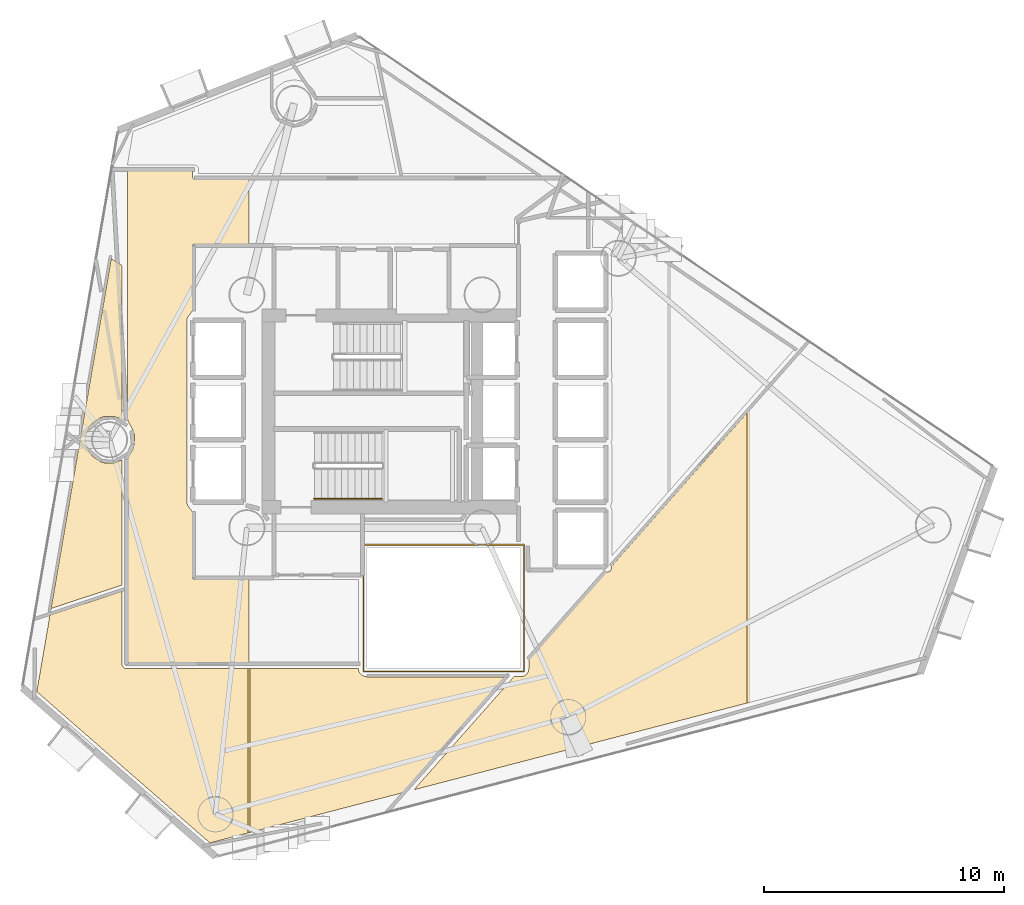
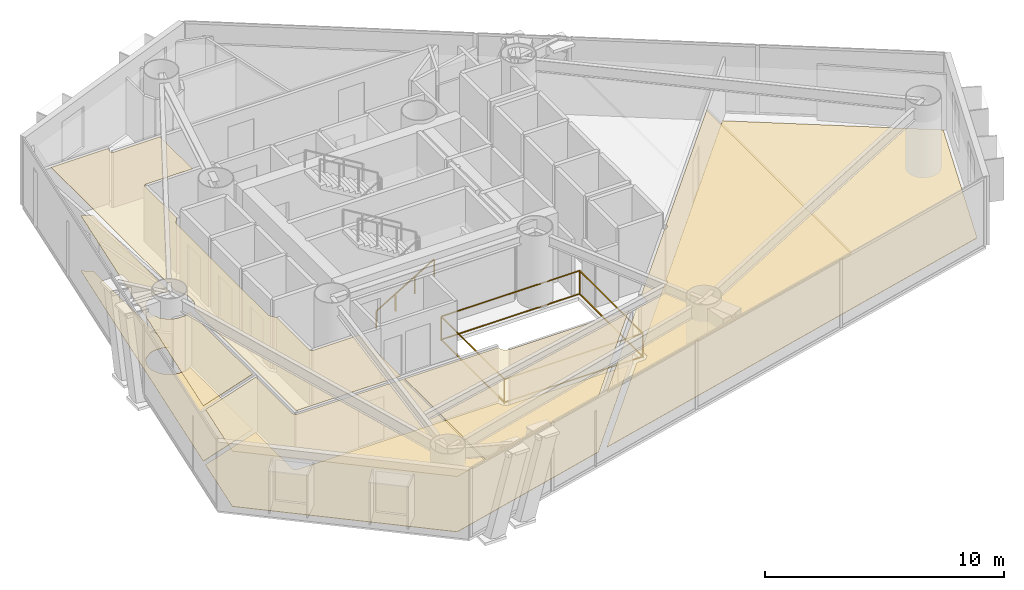
# One storey, part 19 of 21: 8 coverings, 2 railings.
"""IFC4 building model written with IfcOpenShell, lengths in metres."""

from ifc_helpers import new_model, si_unit, direction, frame, origin, origin_2d, place, context, subcontext, project, spatial, polyline, rectangle, outline, extrude, material, layer, layer_set, type_object, element, save


model = new_model("IFC4")

# Units and contexts
model_context = context("Model", 3, precision=1e-05, world=origin(), true_north=direction((0.0, 1.0)))
body_context = subcontext(model_context, "Body", "Model", "MODEL_VIEW")
ifc_project = project(units=[si_unit("LENGTHUNIT", "METRE"), si_unit("AREAUNIT", "SQUARE_METRE"), si_unit("VOLUMEUNIT", "CUBIC_METRE"), si_unit("PLANEANGLEUNIT", "RADIAN"), si_unit("MASSUNIT", "GRAM", prefix="KILO")], contexts=[model_context])

# Site, building, storey
site_placement = place(None, origin())
site = spatial("IfcSite", under=ifc_project, at=site_placement, CompositionType="ELEMENT")
building_placement = place(site_placement, origin())
building = spatial("IfcBuilding", under=site, at=building_placement, Name="Qianvela Tower", CompositionType="ELEMENT")
storey_placement = place(building_placement, frame((0.0, 0.0, 112.60009765625)))
storey = spatial("IfcBuildingStorey", under=building, at=storey_placement, Name="L28", CompositionType="ELEMENT", Elevation=112.60009765625)

# Coverings
ifc_material_1 = material(Name="Perforated Mineral Acoustic Ceiling Tile")
ifc_layer_1 = layer(ifc_material_1, 0.02490234375)
ifc_layer_set_1 = layer_set([ifc_layer_1], Name="Perforated Mineral Acoustic Ceiling Tile")
covering_type_1 = type_object("IfcCoveringType", Name="COV-CEIL-ACOUSTIC-25", PredefinedType="CEILING", material=ifc_layer_set_1)
covering_1_placement = place(storey_placement, frame((0.0, 0.0, 2.81494140625)))
element("IfcCovering", 1, at=covering_1_placement, inside=storey, type_object=covering_type_1, Name="L28 Acoustic Ceiling Bay 1 L28 Floor Corridor", PredefinedType="CEILING", context=body_context, shape_type="SweptSolid", body=[
    extrude(outline(polyline([(23.84814453125, 27.917724609375), (23.8447265625, 27.9248046875), (23.6298828125, 28.32666015625), (23.6298828125, 38.719970703125), (26.340087890625, 38.719970703125), (26.340087890625, 38.449951171875), (26.34033203125, 38.442138671875), (26.341552734375, 38.434326171875), (26.343505859375, 38.4267578125), (26.34619140625, 38.41943359375), (26.349365234375, 38.412353515625), (26.353515625, 38.405517578125), (26.358154296875, 38.399169921875), (26.36328125, 38.393310546875), (26.369140625, 38.38818359375), (26.37548828125, 38.383544921875), (26.38232421875, 38.37939453125), (26.389404296875, 38.376220703125), (26.396728515625, 38.373291015625), (26.404296875, 38.37158203125), (26.412109375, 38.370361328125), (26.419921875, 38.3701171875), (28.68505859375, 38.3701171875), (28.68505859375, 35.659912109375), (26.419921875, 35.659912109375), (26.412109375, 35.65966796875), (26.404296875, 35.658447265625), (26.396728515625, 35.656494140625), (26.389404296875, 35.65380859375), (26.38232421875, 35.650634765625), (26.37548828125, 35.646484375), (26.369140625, 35.641845703125), (26.36328125, 35.63671875), (26.358154296875, 35.630859375), (26.353515625, 35.62451171875), (26.349365234375, 35.61767578125), (26.34619140625, 35.610595703125), (26.343505859375, 35.603271484375), (26.341552734375, 35.595703125), (26.34033203125, 35.587890625), (26.340087890625, 35.580078125), (26.340087890625, 32.89599609375), (26.139404296875, 32.62548828125), (26.135498046875, 32.61962890625), (26.132080078125, 32.61376953125), (26.12939453125, 32.607421875), (26.126953125, 32.60107421875), (26.103515625, 32.523193359375), (26.1015625, 32.515625), (26.100341796875, 32.5078125), (26.10009765625, 32.5), (26.10009765625, 24.89990234375), (26.100341796875, 24.89208984375), (26.1015625, 24.884521484375), (26.103515625, 24.876708984375), (26.126953125, 24.799072265625), (26.12939453125, 24.79248046875), (26.132080078125, 24.786376953125), (26.135498046875, 24.7802734375), (26.139404296875, 24.774658203125), (26.340087890625, 24.50390625), (26.340087890625, 21.780029296875), (26.34033203125, 21.772216796875), (26.341552734375, 21.764404296875), (26.343505859375, 21.7568359375), (26.34619140625, 21.74951171875), (26.349365234375, 21.7421875), (26.353515625, 21.735595703125), (26.358154296875, 21.729248046875), (26.36328125, 21.723388671875), (26.369140625, 21.71826171875), (26.37548828125, 21.71337890625), (26.38232421875, 21.70947265625), (26.389404296875, 21.7060546875), (26.396728515625, 21.703369140625), (26.404296875, 21.701416015625), (26.412109375, 21.700439453125), (26.419921875, 21.699951171875), (28.68505859375, 21.699951171875), (28.68505859375, 18.22998046875), (23.6298828125, 18.22998046875), (23.6298828125, 26.705322265625), (23.8447265625, 27.107177734375), (23.84814453125, 27.1142578125), (23.8505859375, 27.12158203125), (23.906005859375, 27.303466796875), (23.90771484375, 27.311279296875), (23.908935546875, 27.31884765625), (23.909423828125, 27.326904296875), (23.909423828125, 27.705078125), (23.908935546875, 27.713134765625), (23.90771484375, 27.720703125), (23.906005859375, 27.728515625), (23.8505859375, 27.910400390625), (23.84814453125, 27.917724609375)])), origin(), (0.0, 0.0, 1.0), 0.02490234375),
])
covering_2_placement = place(storey_placement, frame((0.0, 0.0, 2.81494140625)))
element("IfcCovering", 2, at=covering_2_placement, inside=storey, type_object=covering_type_1, Name="L28 Acoustic Ceiling Bay 1 Collaborative Co-working Office L28-01A", PredefinedType="CEILING", context=body_context, shape_type="SweptSolid", body=[
    extrude(outline(polyline([(23.390380859375, 18.14208984375), (23.3916015625, 18.134521484375), (23.393310546875, 18.126708984375), (23.39599609375, 18.119384765625), (23.3994140625, 18.1123046875), (23.403564453125, 18.105712890625), (23.408203125, 18.09912109375), (23.47265625, 18.020751953125), (23.477783203125, 18.014892578125), (23.483642578125, 18.009765625), (23.489990234375, 18.0048828125), (23.49658203125, 18.0009765625), (23.50390625, 17.99755859375), (23.51123046875, 17.9951171875), (23.518798828125, 17.9931640625), (23.526611328125, 17.991943359375), (23.534423828125, 17.991455078125), (28.640380859375, 17.99072265625), (28.640380859375, 11.129638671875), (27.059326171875, 10.718017578125), (19.8466796875, 17.020263671875), (20.395263671875, 20.20849609375), (23.389892578125, 21.199951171875), (23.389892578125, 18.14990234375), (23.390380859375, 18.14208984375)])), origin(), (0.0, 0.0, 1.0), 0.02490234375),
])
covering_3_placement = place(storey_placement, frame((0.0, 0.0, 2.81494140625)))
element("IfcCovering", 3, at=covering_3_placement, inside=storey, type_object=covering_type_1, Name="L28 Acoustic Ceiling Bay 2 Collaborative Co-working Office L28-01A", PredefinedType="CEILING", context=body_context, shape_type="SweptSolid", body=[
    extrude(outline(polyline([(33.24609375, 17.989990234375), (33.252197265625, 17.912353515625), (33.25341796875, 17.904296875), (33.25537109375, 17.896240234375), (33.258056640625, 17.888427734375), (33.261474609375, 17.881103515625), (33.31298828125, 17.78466796875), (33.31689453125, 17.77783203125), (33.32177734375, 17.771484375), (33.326904296875, 17.765869140625), (33.332763671875, 17.760498046875), (33.417236328125, 17.691162109375), (33.42431640625, 17.68603515625), (33.431884765625, 17.681640625), (33.440185546875, 17.677978515625), (33.448486328125, 17.675537109375), (33.58056640625, 17.642333984375), (33.5869140625, 17.64111328125), (33.593505859375, 17.640380859375), (33.60009765625, 17.639892578125), (39.34765625, 17.639892578125), (35.07470703125, 12.804931640625), (28.72021484375, 11.150390625), (28.72021484375, 17.99072265625), (33.24609375, 17.989990234375)])), origin(), (0.0, 0.0, 1.0), 0.02490234375),
])
covering_4_placement = place(storey_placement, frame((0.0, 0.0, 2.81494140625)))
element("IfcCovering", 4, at=covering_4_placement, inside=storey, type_object=covering_type_1, Name="L28 Acoustic Ceiling Bay 1 Quiet Desk Workspace L28-01B", PredefinedType="CEILING", context=body_context, shape_type="SweptSolid", body=[
    extrude(outline(polyline([(40.119873046875, 17.662353515625), (40.128173828125, 17.6640625), (40.136474609375, 17.666748046875), (40.144287109375, 17.67041015625), (40.151611328125, 17.6748046875), (40.242431640625, 17.735595703125), (40.248779296875, 17.740234375), (40.254638671875, 17.745361328125), (40.259765625, 17.751220703125), (40.264404296875, 17.757568359375), (40.3251953125, 17.848388671875), (40.3291015625, 17.8544921875), (40.332275390625, 17.861083984375), (40.334716796875, 17.867919921875), (40.336669921875, 17.875), (40.337890625, 17.882080078125), (40.338623046875, 17.889404296875), (40.358642578125, 18.361083984375), (43.565185546875, 21.9892578125), (43.69873046875, 22.0234375), (43.706298828125, 22.02587890625), (43.71337890625, 22.02880859375), (43.720458984375, 22.032470703125), (43.726806640625, 22.036865234375), (43.73291015625, 22.0419921875), (43.73828125, 22.04736328125), (43.743408203125, 22.053466796875), (43.74755859375, 22.059814453125), (43.751220703125, 22.06689453125), (43.79150390625, 22.152099609375), (43.794921875, 22.16015625), (43.79736328125, 22.168701171875), (43.798828125, 22.177490234375), (43.79931640625, 22.186279296875), (43.79931640625, 22.25439453125), (49.443603515625, 28.640869140625), (49.443603515625, 16.5458984375), (35.559814453125, 12.93115234375), (39.722900390625, 17.641845703125), (40.111083984375, 17.661376953125), (40.119873046875, 17.662353515625)])), origin(), (0.0, 0.0, 1.0), 0.02490234375),
])
covering_5_placement = place(storey_placement, frame((0.0, 0.0, 2.81494140625)))
element("IfcCovering", 5, at=covering_5_placement, inside=storey, type_object=covering_type_1, Name="L28 Acoustic Ceiling Graduate Seminar Classroom L28-04", PredefinedType="CEILING", context=body_context, shape_type="SweptSolid", body=[
    extrude(outline(polyline([(23.389892578125, 26.67529296875), (23.389892578125, 21.45703125), (20.442138671875, 20.48095703125), (22.949462890625, 35.0576171875), (23.389892578125, 34.77880859375), (23.389892578125, 28.356689453125), (23.086181640625, 28.482421875), (23.078857421875, 28.485107421875), (23.071044921875, 28.487060546875), (23.0634765625, 28.488037109375), (23.055419921875, 28.488525390625), (22.700439453125, 28.488525390625), (22.692626953125, 28.488037109375), (22.684814453125, 28.487060546875), (22.67724609375, 28.485107421875), (22.506591796875, 28.433349609375), (22.4990234375, 28.4306640625), (22.491943359375, 28.42724609375), (22.4853515625, 28.423095703125), (22.190185546875, 28.22607421875), (22.183837890625, 28.22119140625), (22.177978515625, 28.216064453125), (22.172607421875, 28.210205078125), (22.0595703125, 28.072265625), (22.0546875, 28.06591796875), (22.05078125, 28.059326171875), (22.047607421875, 28.05224609375), (21.91162109375, 27.72412109375), (21.908935546875, 27.716796875), (21.906982421875, 27.708984375), (21.906005859375, 27.701416015625), (21.888427734375, 27.523681640625), (21.887939453125, 27.51611328125), (21.888427734375, 27.50830078125), (21.906005859375, 27.33056640625), (21.906982421875, 27.322998046875), (21.908935546875, 27.315185546875), (21.91162109375, 27.307861328125), (22.047607421875, 26.979736328125), (22.05078125, 26.97265625), (22.0546875, 26.966064453125), (22.0595703125, 26.959716796875), (22.172607421875, 26.82177734375), (22.177978515625, 26.81591796875), (22.183837890625, 26.810791015625), (22.190185546875, 26.805908203125), (22.4853515625, 26.60888671875), (22.491943359375, 26.604736328125), (22.4990234375, 26.601318359375), (22.506591796875, 26.5986328125), (22.67724609375, 26.546875), (22.684814453125, 26.544921875), (22.692626953125, 26.5439453125), (22.700439453125, 26.54345703125), (23.055419921875, 26.54345703125), (23.0634765625, 26.5439453125), (23.071044921875, 26.544921875), (23.078857421875, 26.546875), (23.086181640625, 26.549560546875), (23.389892578125, 26.67529296875)])), origin(), (0.0, 0.0, 1.0), 0.02490234375),
])
ifc_material_2 = material(Name="Engineered Acoustic Oak Timber Flooring", Category="wood")
ifc_layer_2 = layer(ifc_material_2, 0.02001953125)
ifc_layer_set_2 = layer_set([ifc_layer_2], Name="Engineered Acoustic Oak Timber Flooring")
covering_type_2 = type_object("IfcCoveringType", Name="COV-FLOOR-OAK-20", PredefinedType="FLOORING", material=ifc_layer_set_2)
covering_6_placement = place(storey_placement, origin())
element("IfcCovering", 6, at=covering_6_placement, inside=storey, type_object=covering_type_2, Name="L28 Finish Flooring Collaborative Co-working Office L28-01A", PredefinedType="FLOORING", context=body_context, shape_type="SweptSolid", body=[
    extrude(outline(polyline([(23.389892578125, 18.14990234375), (23.390380859375, 18.14208984375), (23.3916015625, 18.134521484375), (23.393310546875, 18.126708984375), (23.39599609375, 18.119384765625), (23.3994140625, 18.1123046875), (23.403564453125, 18.105712890625), (23.408203125, 18.09912109375), (23.47265625, 18.020751953125), (23.477783203125, 18.014892578125), (23.483642578125, 18.009765625), (23.489990234375, 18.0048828125), (23.49658203125, 18.0009765625), (23.50390625, 17.99755859375), (23.51123046875, 17.9951171875), (23.518798828125, 17.9931640625), (23.526611328125, 17.991943359375), (23.534423828125, 17.991455078125), (33.24609375, 17.989990234375), (33.252197265625, 17.912353515625), (33.25341796875, 17.904296875), (33.25537109375, 17.896240234375), (33.258056640625, 17.888427734375), (33.261474609375, 17.881103515625), (33.31298828125, 17.78466796875), (33.31689453125, 17.77783203125), (33.32177734375, 17.771484375), (33.326904296875, 17.765869140625), (33.332763671875, 17.760498046875), (33.417236328125, 17.691162109375), (33.42431640625, 17.68603515625), (33.431884765625, 17.681640625), (33.440185546875, 17.677978515625), (33.448486328125, 17.675537109375), (33.58056640625, 17.642333984375), (33.5869140625, 17.64111328125), (33.593505859375, 17.640380859375), (33.60009765625, 17.639892578125), (39.34765625, 17.639892578125), (35.07470703125, 12.804931640625), (27.059326171875, 10.718017578125), (19.8466796875, 17.020263671875), (20.395263671875, 20.20849609375), (23.389892578125, 21.199951171875), (23.389892578125, 18.14990234375)])), origin(), (0.0, 0.0, 1.0), 0.02001953125),
])
covering_7_placement = place(storey_placement, origin())
element("IfcCovering", 7, at=covering_7_placement, inside=storey, type_object=covering_type_2, Name="L28 Finish Flooring Quiet Desk Workspace L28-01B", PredefinedType="FLOORING", context=body_context, shape_type="SweptSolid", body=[
    extrude(outline(polyline([(40.111083984375, 17.661376953125), (40.119873046875, 17.662353515625), (40.128173828125, 17.6640625), (40.136474609375, 17.666748046875), (40.144287109375, 17.67041015625), (40.151611328125, 17.6748046875), (40.242431640625, 17.735595703125), (40.248779296875, 17.740234375), (40.254638671875, 17.745361328125), (40.259765625, 17.751220703125), (40.264404296875, 17.757568359375), (40.3251953125, 17.848388671875), (40.3291015625, 17.8544921875), (40.332275390625, 17.861083984375), (40.334716796875, 17.867919921875), (40.336669921875, 17.875), (40.337890625, 17.882080078125), (40.338623046875, 17.889404296875), (40.358642578125, 18.361083984375), (43.565185546875, 21.9892578125), (43.69873046875, 22.0234375), (43.706298828125, 22.02587890625), (43.71337890625, 22.02880859375), (43.720458984375, 22.032470703125), (43.726806640625, 22.036865234375), (43.73291015625, 22.0419921875), (43.73828125, 22.04736328125), (43.743408203125, 22.053466796875), (43.74755859375, 22.059814453125), (43.751220703125, 22.06689453125), (43.79150390625, 22.152099609375), (43.794921875, 22.16015625), (43.79736328125, 22.168701171875), (43.798828125, 22.177490234375), (43.79931640625, 22.186279296875), (43.79931640625, 22.25439453125), (51.62939453125, 31.1142578125), (59.28955078125, 25.925537109375), (56.58447265625, 18.40478515625), (35.559814453125, 12.93115234375), (39.722900390625, 17.641845703125), (40.111083984375, 17.661376953125)])), origin(), (0.0, 0.0, 1.0), 0.02001953125),
])
covering_8_placement = place(storey_placement, origin())
element("IfcCovering", 8, at=covering_8_placement, inside=storey, type_object=covering_type_2, Name="L28 Finish Flooring Graduate Seminar Classroom L28-04", PredefinedType="FLOORING", context=body_context, shape_type="SweptSolid", body=[
    extrude(outline(polyline([(23.389892578125, 26.67529296875), (23.389892578125, 21.45703125), (20.442138671875, 20.48095703125), (22.949462890625, 35.0576171875), (23.389892578125, 34.77880859375), (23.389892578125, 28.356689453125), (23.086181640625, 28.482421875), (23.078857421875, 28.485107421875), (23.071044921875, 28.487060546875), (23.0634765625, 28.488037109375), (23.055419921875, 28.488525390625), (22.700439453125, 28.488525390625), (22.692626953125, 28.488037109375), (22.684814453125, 28.487060546875), (22.67724609375, 28.485107421875), (22.506591796875, 28.433349609375), (22.4990234375, 28.4306640625), (22.491943359375, 28.42724609375), (22.4853515625, 28.423095703125), (22.190185546875, 28.22607421875), (22.183837890625, 28.22119140625), (22.177978515625, 28.216064453125), (22.172607421875, 28.210205078125), (22.0595703125, 28.072265625), (22.0546875, 28.06591796875), (22.05078125, 28.059326171875), (22.047607421875, 28.05224609375), (21.91162109375, 27.72412109375), (21.908935546875, 27.716796875), (21.906982421875, 27.708984375), (21.906005859375, 27.701416015625), (21.888427734375, 27.523681640625), (21.887939453125, 27.51611328125), (21.888427734375, 27.50830078125), (21.906005859375, 27.33056640625), (21.906982421875, 27.322998046875), (21.908935546875, 27.315185546875), (21.91162109375, 27.307861328125), (22.047607421875, 26.979736328125), (22.05078125, 26.97265625), (22.0546875, 26.966064453125), (22.0595703125, 26.959716796875), (22.172607421875, 26.82177734375), (22.177978515625, 26.81591796875), (22.183837890625, 26.810791015625), (22.190185546875, 26.805908203125), (22.4853515625, 26.60888671875), (22.491943359375, 26.604736328125), (22.4990234375, 26.601318359375), (22.506591796875, 26.5986328125), (22.67724609375, 26.546875), (22.684814453125, 26.544921875), (22.692626953125, 26.5439453125), (22.700439453125, 26.54345703125), (23.055419921875, 26.54345703125), (23.0634765625, 26.5439453125), (23.071044921875, 26.544921875), (23.078857421875, 26.546875), (23.086181640625, 26.549560546875), (23.389892578125, 26.67529296875)])), origin(), (0.0, 0.0, 1.0), 0.02001953125),
])

# Railings
ifc_material_3 = material(Name="Laminated Safety Glass and Stainless Steel 316", Category="steel")
railing_type_1 = type_object("IfcRailingType", Name="RL-ATRIUM-GUARD-1250", PredefinedType="GUARDRAIL", material=ifc_material_3)
railing_1_placement = place(storey_placement, frame((33.4599609375, 17.860107421875, 0.0)))
element("IfcRailing", 9, at=railing_1_placement, inside=storey, type_object=railing_type_1, Name="L28 Atrium Edge Guardrail 1", PredefinedType="GUARDRAIL", context=body_context, shape_type="SweptSolid", body=[
    extrude(rectangle(XDim=0.050048828125, YDim=0.0400390625, at=origin_2d()), frame((0.0, 0.0, 1.22998046875), z_axis=(0.0, 1.0, 0.0), x_axis=(-1.0, 0.0, 0.0)), (0.0, 0.0, 1.0), 5.27978515625),
    extrude(rectangle(XDim=0.050048828125, YDim=0.0400390625, at=origin_2d()), frame((0.0, 0.0, 0.050048828125), z_axis=(0.0, 1.0, 0.0), x_axis=(-1.0, 0.0, 0.0)), (0.0, 0.0, 1.0), 5.27978515625),
    extrude(rectangle(XDim=0.050048828125, YDim=0.0400390625, at=origin_2d()), frame((0.0, 5.27978515625, 1.22998046875), z_axis=(1.0, 0.0, 0.0), x_axis=(0.0, 1.0, 0.0)), (0.0, 0.0, 1.0), 6.679931640625),
    extrude(rectangle(XDim=0.050048828125, YDim=0.0400390625, at=origin_2d()), frame((0.0, 5.27978515625, 0.050048828125), z_axis=(1.0, 0.0, 0.0), x_axis=(0.0, 1.0, 0.0)), (0.0, 0.0, 1.0), 6.679931640625),
    extrude(rectangle(XDim=0.050048828125, YDim=0.0400390625, at=origin_2d()), frame((6.679931640625, 5.27978515625, 1.22998046875), z_axis=(0.0, -1.0, 0.0), x_axis=(1.0, 0.0, 0.0)), (0.0, 0.0, 1.0), 5.27978515625),
    extrude(rectangle(XDim=0.050048828125, YDim=0.0400390625, at=origin_2d()), frame((6.679931640625, 5.27978515625, 0.050048828125), z_axis=(0.0, -1.0, 0.0), x_axis=(1.0, 0.0, 0.0)), (0.0, 0.0, 1.0), 5.27978515625),
    extrude(rectangle(XDim=0.050048828125, YDim=0.0400390625, at=origin_2d()), frame((6.679931640625, 0.0, 1.22998046875), z_axis=(-1.0, 0.0, 0.0), x_axis=(0.0, -1.0, 0.0)), (0.0, 0.0, 1.0), 6.679931640625),
    extrude(rectangle(XDim=0.050048828125, YDim=0.0400390625, at=origin_2d()), frame((6.679931640625, 0.0, 0.050048828125), z_axis=(-1.0, 0.0, 0.0), x_axis=(0.0, -1.0, 0.0)), (0.0, 0.0, 1.0), 6.679931640625),
    extrude(rectangle(XDim=0.050048828125, YDim=0.050048828125, at=origin_2d()), origin(), (0.0, 0.0, 1.0), 1.2099609375),
    extrude(rectangle(XDim=0.050048828125, YDim=0.050048828125, at=origin_2d()), frame((0.0, 5.27978515625, 0.0)), (0.0, 0.0, 1.0), 1.2099609375),
    extrude(rectangle(XDim=0.050048828125, YDim=0.050048828125, at=origin_2d()), frame((6.679931640625, 5.27978515625, 0.0)), (0.0, 0.0, 1.0), 1.2099609375),
    extrude(rectangle(XDim=0.050048828125, YDim=0.050048828125, at=origin_2d()), frame((6.679931640625, 0.0, 0.0)), (0.0, 0.0, 1.0), 1.2099609375),
])
ifc_material_4 = material(Name="Brushed Stainless Steel 304", Category="steel")
railing_type_2 = type_object("IfcRailingType", Name="RL-STAIR-HANDRAIL-900", PredefinedType="HANDRAIL", material=ifc_material_4)
railing_2_placement = place(storey_placement, frame((31.419921875, 25.050048828125, 0.16796875)))
element("IfcRailing", 10, at=railing_2_placement, inside=storey, type_object=railing_type_2, Name="L28 ST-2 stair handrail 1", PredefinedType="HANDRAIL", context=body_context, shape_type="SweptSolid", body=[
    extrude(rectangle(XDim=0.050048828125, YDim=0.0400390625, at=origin_2d()), frame((0.0, 0.0, 0.8798828125), z_axis=(0.857242210791, 0.0, 0.514913383045), x_axis=(0.0, 1.0, 0.0)), (0.0, 0.0, 1.0), 3.266357421875),
    extrude(rectangle(XDim=0.050048828125, YDim=0.050048828125, at=origin_2d()), origin(), (0.0, 0.0, 1.0), 0.85986328125),
    extrude(rectangle(XDim=0.050048828125, YDim=0.050048828125, at=origin_2d()), frame((0.933349609375, 0.0, 0.560546875)), (0.0, 0.0, 1.0), 0.85986328125),
    extrude(rectangle(XDim=0.050048828125, YDim=0.050048828125, at=origin_2d()), frame((1.86669921875, 0.0, 1.121337890625)), (0.0, 0.0, 1.0), 0.85986328125),
    extrude(rectangle(XDim=0.050048828125, YDim=0.050048828125, at=origin_2d()), frame((2.800048828125, 0.0, 1.681884765625)), (0.0, 0.0, 1.0), 0.85986328125),
])

save(model, "model.ifc")
